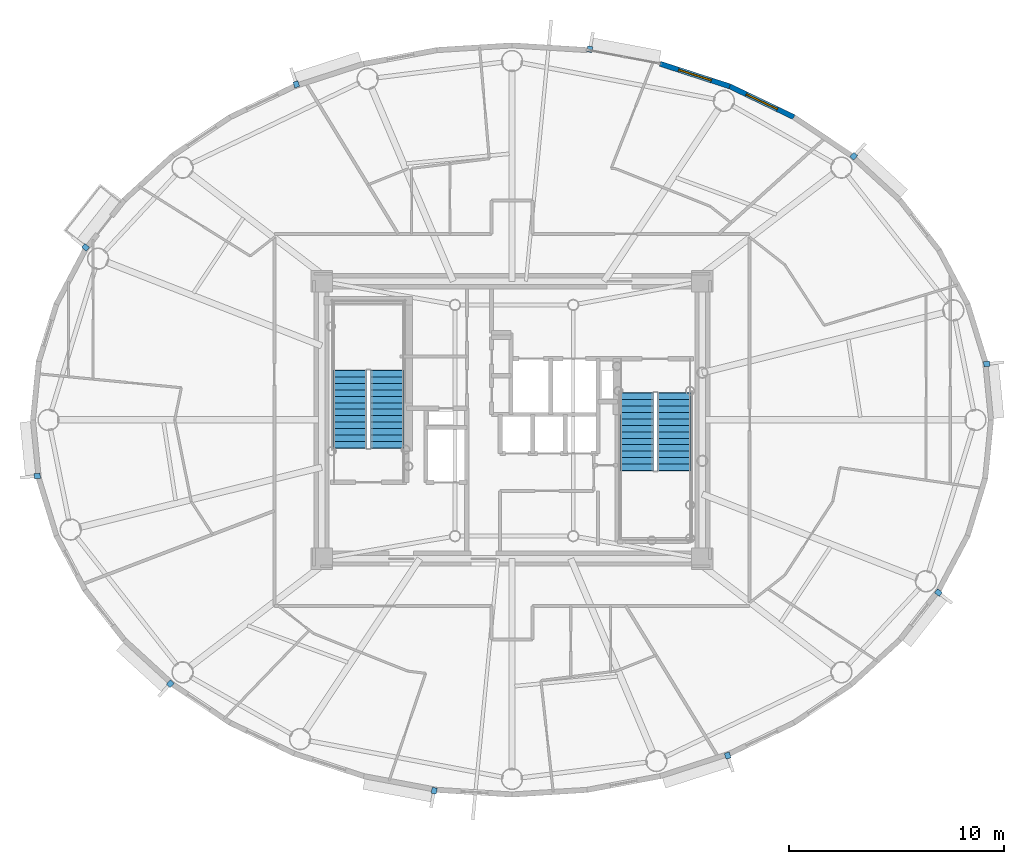
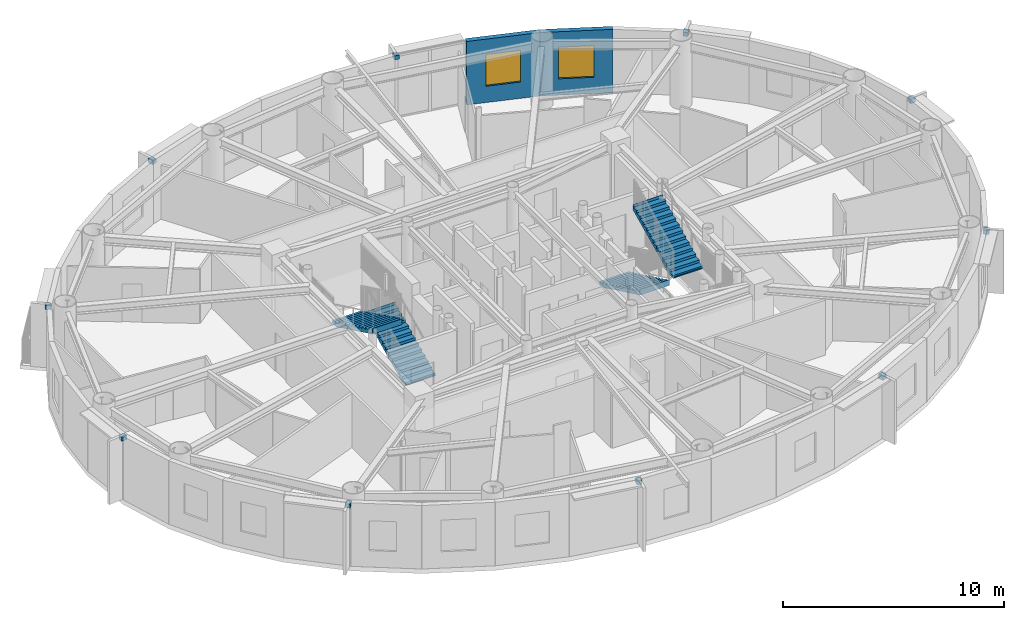
# One storey, part 10 of 17: 10 discrete accessories, 4 stair flights, 2 walls, 2 windows, 2 openings, 2 elements without a shape of their own.
"""IFC4 building model written with IfcOpenShell, lengths in metres."""

from ifc_helpers import new_model, si_unit, direction, frame, frame_2d, origin, origin_2d, place, context, subcontext, project, spatial, polyline, rectangle, outline, extrude, source, transform, mapped, material, layer, layer_set, type_object, element, fill, aggregate, save


model = new_model("IFC4")

# Units and contexts
model_context = context("Model", 3, precision=1e-05, world=origin(), true_north=direction((0.0, 1.0)))
body_context = subcontext(model_context, "Body", "Model", "MODEL_VIEW")
ifc_project = project(units=[si_unit("LENGTHUNIT", "METRE"), si_unit("AREAUNIT", "SQUARE_METRE"), si_unit("VOLUMEUNIT", "CUBIC_METRE"), si_unit("PLANEANGLEUNIT", "RADIAN"), si_unit("MASSUNIT", "GRAM", prefix="KILO")], contexts=[model_context])

# Site, building, storey
site_placement = place(None, origin())
site = spatial("IfcSite", under=ifc_project, at=site_placement, CompositionType="ELEMENT")
building_placement = place(site_placement, origin())
building = spatial("IfcBuilding", under=site, at=building_placement, Name="Linh Dai School and Residence Tower", CompositionType="ELEMENT")
storey_placement = place(building_placement, frame((0.0, 0.0, 284.25)))
storey = spatial("IfcBuildingStorey", under=building, at=storey_placement, Name="L70", CompositionType="ELEMENT", Elevation=284.25)

# Wall, opening, window
ifc_material_1 = material(Name="Precast Concrete B45 (C35/45)", Category="concrete")
ifc_layer = layer(ifc_material_1, 0.239990234375)
ifc_layer_set = layer_set([ifc_layer], Name="Precast Concrete B45 (C35/45)")
wall_type = type_object("IfcWallType", Name="EW-TC-240", PredefinedType="SOLIDWALL", material=ifc_layer_set)
wall_1_placement = place(storey_placement, frame((46.123046875, 42.51220703125, 0.0), z_axis=(0.0, 0.0, 1.0), x_axis=(0.901573741254, -0.43262546051, 0.0)))
wall_1 = element("IfcWall", 1, at=wall_1_placement, inside=storey, type_object=wall_type, Name="L70 Terracotta Exterior Wall 07", PredefinedType="SOLIDWALL", context=body_context, shape_type="SweptSolid", body=[
    extrude(rectangle(XDim=3.306884765625, YDim=0.239990234375, at=frame_2d((1.6533203125, 0.0))), origin(), (0.0, 0.0, 1.0), 3.5),
])
opening_1_placement = place(wall_1_placement, frame((0.853271484375, 0.0, 0.89990234375)))
opening_1 = element("IfcOpeningElement", 2, at=opening_1_placement, cuts=wall_1, Name="Opening W2", PredefinedType="OPENING", context=body_context, shape_type="SweptSolid", body=[
    extrude(rectangle(XDim=1.60009765625, YDim=1.75, at=origin_2d()), frame((0.800048828125, 0.1298828125, 0.875), z_axis=(0.0, -1.0, 0.0), x_axis=(1.0, 0.0, 0.0)), (0.0, 0.0, 1.0), 0.260009765625),
])
ifc_material_2 = material(Name="Double Low-E Insulated Glazing", Category="glass")
window_type = type_object("IfcWindowType", Name="WN-RES-1600x1750", PartitioningType="DOUBLE_PANEL_VERTICAL", PredefinedType="WINDOW", material=ifc_material_2)
shared_shape_1 = source(origin(), body_context, "Body", "SweptSolid", [
    extrude(rectangle(XDim=1.60009765625, YDim=1.75, at=origin_2d()), frame((0.800048828125, 0.030029296875, 0.875), z_axis=(0.0, -1.0, 0.0), x_axis=(1.0, 0.0, 0.0)), (0.0, 0.0, 1.0), 0.06005859375),
])
window_1_placement = place(opening_1_placement, origin())
window_1 = element("IfcWindow", 3, at=window_1_placement, inside=storey, type_object=window_type, Name="L70 Exterior Window 07.1", OverallHeight=1.75, OverallWidth=1.60009765625, PartitioningType="DOUBLE_PANEL_VERTICAL", PredefinedType="WINDOW", context=body_context, shape_type="MappedRepresentation", body=[
    mapped(shared_shape_1, transform((0.0, 0.0, 0.0), x_axis=(1.0, 0.0, 0.0), y_axis=(0.0, 1.0, 0.0), z_axis=(0.0, 0.0, 1.0), scale=1.0)),
])
fill(opening_1, window_1)

wall_2_placement = place(storey_placement, frame((42.89111328125, 43.560302734375, 0.0), z_axis=(0.0, 0.0, 1.0), x_axis=(0.95123136723, -0.308478339592, 0.0)))
wall_2 = element("IfcWall", 4, at=wall_2_placement, inside=storey, type_object=wall_type, Name="L70 Terracotta Exterior Wall 08", PredefinedType="SOLIDWALL", context=body_context, shape_type="SweptSolid", body=[
    extrude(rectangle(XDim=3.397705078125, YDim=0.239990234375, at=frame_2d((1.69873046875, 0.0))), origin(), (0.0, 0.0, 1.0), 3.5),
])
opening_2_placement = place(wall_2_placement, frame((0.898681640625, 0.0, 0.89990234375)))
opening_2 = element("IfcOpeningElement", 5, at=opening_2_placement, cuts=wall_2, Name="Opening W2", PredefinedType="OPENING", context=body_context, shape_type="SweptSolid", body=[
    extrude(rectangle(XDim=1.60009765625, YDim=1.75, at=origin_2d()), frame((0.800048828125, 0.1298828125, 0.875), z_axis=(0.0, -1.0, 0.0), x_axis=(1.0, 0.0, 0.0)), (0.0, 0.0, 1.0), 0.260009765625),
])
window_2_placement = place(opening_2_placement, origin())
window_2 = element("IfcWindow", 6, at=window_2_placement, inside=storey, type_object=window_type, Name="L70 Exterior Window 08.1", OverallHeight=1.75, OverallWidth=1.60009765625, PartitioningType="DOUBLE_PANEL_VERTICAL", PredefinedType="WINDOW", context=body_context, shape_type="MappedRepresentation", body=[
    mapped(shared_shape_1, transform((0.0, 0.0, 0.0), x_axis=(1.0, 0.0, 0.0), y_axis=(0.0, 1.0, 0.0), z_axis=(0.0, 0.0, 1.0), scale=1.0)),
])
fill(opening_2, window_2)

# Stair, stair flights
ifc_material_3 = material(Name="Concrete B45 (C35/45)", Category="concrete")
stair_type = type_object("IfcStairType", Name="ST-DOG-1550-R1442", PredefinedType="HALF_TURN_STAIR", material=ifc_material_3)
stair_1_placement = place(storey_placement, origin())
stair_1 = element("IfcStair", 7, at=stair_1_placement, inside=storey, type_object=stair_type, Name="L70 Core Smokeproof Exit Stair ST1", PredefinedType="HALF_TURN_STAIR")
stair_flight_type = type_object("IfcStairFlightType", Name="STF-STR-1550-R1442", PredefinedType="STRAIGHT", material=ifc_material_3)
shared_shape_2 = source(origin(), body_context, "Body", "SweptSolid", [
    extrude(outline(polyline([(-0.02490234375, 0.0), (-0.02490234375, 0.06005859375), (0.0, 0.06005859375), (0.0, 0.144287109375), (0.300048828125, 0.144287109375), (0.300048828125, 0.28857421875), (0.60009765625, 0.28857421875), (0.60009765625, 0.4326171875), (0.89990234375, 0.4326171875), (0.89990234375, 0.576904296875), (1.199951171875, 0.576904296875), (1.199951171875, 0.72119140625), (1.5, 0.72119140625), (1.5, 0.865478515625), (1.800048828125, 0.865478515625), (1.800048828125, 1.009521484375), (2.10009765625, 1.009521484375), (2.10009765625, 1.15380859375), (2.39990234375, 1.15380859375), (2.39990234375, 1.298095703125), (2.699951171875, 1.298095703125), (2.699951171875, 1.4423828125), (3.0, 1.4423828125), (3.0, 1.58642578125), (3.300048828125, 1.58642578125), (3.300048828125, 1.730712890625), (3.60009765625, 1.730712890625), (3.60009765625, 1.875), (3.625, 1.875), (3.625, 1.564453125), (3.60009765625, 1.564453125), (0.345947265625, 0.0), (-0.02490234375, 0.0)])), frame((0.0, 0.77490234375, 0.0), z_axis=(0.0, -1.0, 0.0), x_axis=(1.0, 0.0, 0.0)), (0.0, 0.0, 1.0), 1.550048828125),
])
stair_flight_1_placement = place(storey_placement, frame((30.205078125, 25.699951171875, 0.0), z_axis=(0.0, 0.0, 1.0), x_axis=(0.0, 1.0, 0.0)))
stair_flight_1 = element("IfcStairFlight", 8, at=stair_flight_1_placement, type_object=stair_flight_type, Name="ST1 flight 1", NumberOfRisers=13, NumberOfTreads=12, PredefinedType="STRAIGHT", RiserHeight=0.144230769, TreadLength=0.3, context=body_context, shape_type="MappedRepresentation", body=[
    mapped(shared_shape_2, transform((0.0, 0.0, 0.0), x_axis=(1.0, 0.0, 0.0), y_axis=(0.0, 1.0, 0.0), z_axis=(0.0, 0.0, 1.0), scale=1.0)),
])
stair_flight_2_placement = place(storey_placement, frame((28.455078125, 29.300048828125, 1.875), z_axis=(0.0, 0.0, 1.0), x_axis=(0.0, -1.0, 0.0)))
stair_flight_2 = element("IfcStairFlight", 9, at=stair_flight_2_placement, type_object=stair_flight_type, Name="ST1 flight 2", NumberOfRisers=13, NumberOfTreads=12, PredefinedType="STRAIGHT", RiserHeight=0.144230769, TreadLength=0.3, context=body_context, shape_type="MappedRepresentation", body=[
    mapped(shared_shape_2, transform((0.0, 0.0, 0.0), x_axis=(1.0, 0.0, 0.0), y_axis=(0.0, 1.0, 0.0), z_axis=(0.0, 0.0, 1.0), scale=1.0)),
])
aggregate(stair_1, [stair_flight_1, stair_flight_2])

stair_2_placement = place(storey_placement, origin())
stair_2 = element("IfcStair", 10, at=stair_2_placement, inside=storey, type_object=stair_type, Name="L70 Core Smokeproof Exit Stair ST2", PredefinedType="HALF_TURN_STAIR")
stair_flight_3_placement = place(storey_placement, frame((41.794921875, 28.25, 0.0), z_axis=(0.0, 0.0, 1.0), x_axis=(0.0, -1.0, 0.0)))
stair_flight_3 = element("IfcStairFlight", 11, at=stair_flight_3_placement, type_object=stair_flight_type, Name="ST2 flight 1", NumberOfRisers=13, NumberOfTreads=12, PredefinedType="STRAIGHT", RiserHeight=0.144230769, TreadLength=0.3, context=body_context, shape_type="MappedRepresentation", body=[
    mapped(shared_shape_2, transform((0.0, 0.0, 0.0), x_axis=(1.0, 0.0, 0.0), y_axis=(0.0, 1.0, 0.0), z_axis=(0.0, 0.0, 1.0), scale=1.0)),
])
stair_flight_4_placement = place(storey_placement, frame((43.544921875, 24.64990234375, 1.875), z_axis=(0.0, 0.0, 1.0), x_axis=(0.0, 1.0, 0.0)))
stair_flight_4 = element("IfcStairFlight", 12, at=stair_flight_4_placement, type_object=stair_flight_type, Name="ST2 flight 2", NumberOfRisers=13, NumberOfTreads=12, PredefinedType="STRAIGHT", RiserHeight=0.144230769, TreadLength=0.3, context=body_context, shape_type="MappedRepresentation", body=[
    mapped(shared_shape_2, transform((0.0, 0.0, 0.0), x_axis=(1.0, 0.0, 0.0), y_axis=(0.0, 1.0, 0.0), z_axis=(0.0, 0.0, 1.0), scale=1.0)),
])
aggregate(stair_2, [stair_flight_3, stair_flight_4])

# Discrete accessories
ifc_material_4 = material(Name="Structural Steel S355JR", Category="steel")
discrete_accessory_type = type_object("IfcDiscreteAccessoryType", Name="ACC-BRK-S355", PredefinedType="BRACKET", material=ifc_material_4)
shared_shape_3 = source(origin(), body_context, "Body", "SweptSolid", [
    extrude(rectangle(XDim=0.280029296875, YDim=0.239990234375, at=origin_2d()), origin(), (0.0, 0.0, 1.0), 0.219970703125),
])
for number, where, z_axis, x_axis, name in (
    (13, (58.073486328125, 29.605712890625, 3.25), (0.0, 0.0, 1.0), (0.994986629598, 0.100008034283, 0.0), "L70 Facade Frame Anchor Bracket 01"),
    (14, (51.89111328125, 39.267333984375, 3.25), (0.0, 0.0, 1.0), (0.67577730889, 0.737105846394, 0.0), "L70 Facade Frame Anchor Bracket 05"),
    (15, (39.61767578125, 44.23681640625, 3.25), (0.0, 0.0, 1.0), (0.184751197452, 0.982785325002, 0.0), "L70 Facade Frame Anchor Bracket 09"),
    (16, (25.97265625, 42.606201171875, 3.25), (0.0, 0.0, 1.0), (-0.308518805176, 0.951218243545, 0.0), "L70 Facade Frame Anchor Bracket 13"),
    (17, (16.1728515625, 35.0263671875, 3.25), (0.0, 0.0, 1.0), (-0.78750300393, 0.616310813471, 0.0), "L70 Facade Frame Anchor Bracket 17"),
    (18, (13.926513671875, 24.394287109375, 3.25), (0.0, 0.0, 1.0), (-0.994986629598, -0.100008034283, 0.0), "L70 Facade Frame Anchor Bracket 21"),
    (19, (20.10888671875, 14.732666015625, 3.25), (0.0, 0.0, 1.0), (-0.675779074535, -0.737104227651, 0.0), "L70 Facade Frame Anchor Bracket 25"),
    (20, (32.38232421875, 9.76318359375, 3.25), (0.0, 0.0, 1.0), (-0.184751197452, -0.982785325002, 0.0), "L70 Facade Frame Anchor Bracket 29"),
    (21, (46.02734375, 11.393798828125, 3.25), (0.0, 0.0, 1.0), (0.308518805176, -0.951218243545, 0.0), "L70 Facade Frame Anchor Bracket 33"),
    (22, (55.8271484375, 18.9736328125, 3.25), (0.0, 0.0, 1.0), (0.78750300393, -0.616310813471, 0.0), "L70 Facade Frame Anchor Bracket 37"),
):
    element("IfcDiscreteAccessory", number, at=place(storey_placement, frame(where, z_axis=z_axis, x_axis=x_axis)), inside=storey, type_object=discrete_accessory_type, Name=name, PredefinedType="BRACKET", context=body_context, shape_type="MappedRepresentation", body=[
        mapped(shared_shape_3, transform((0.0, 0.0, 0.0), x_axis=(1.0, 0.0, 0.0), y_axis=(0.0, 1.0, 0.0), z_axis=(0.0, 0.0, 1.0), scale=1.0)),
    ])

save(model, "model.ifc")
